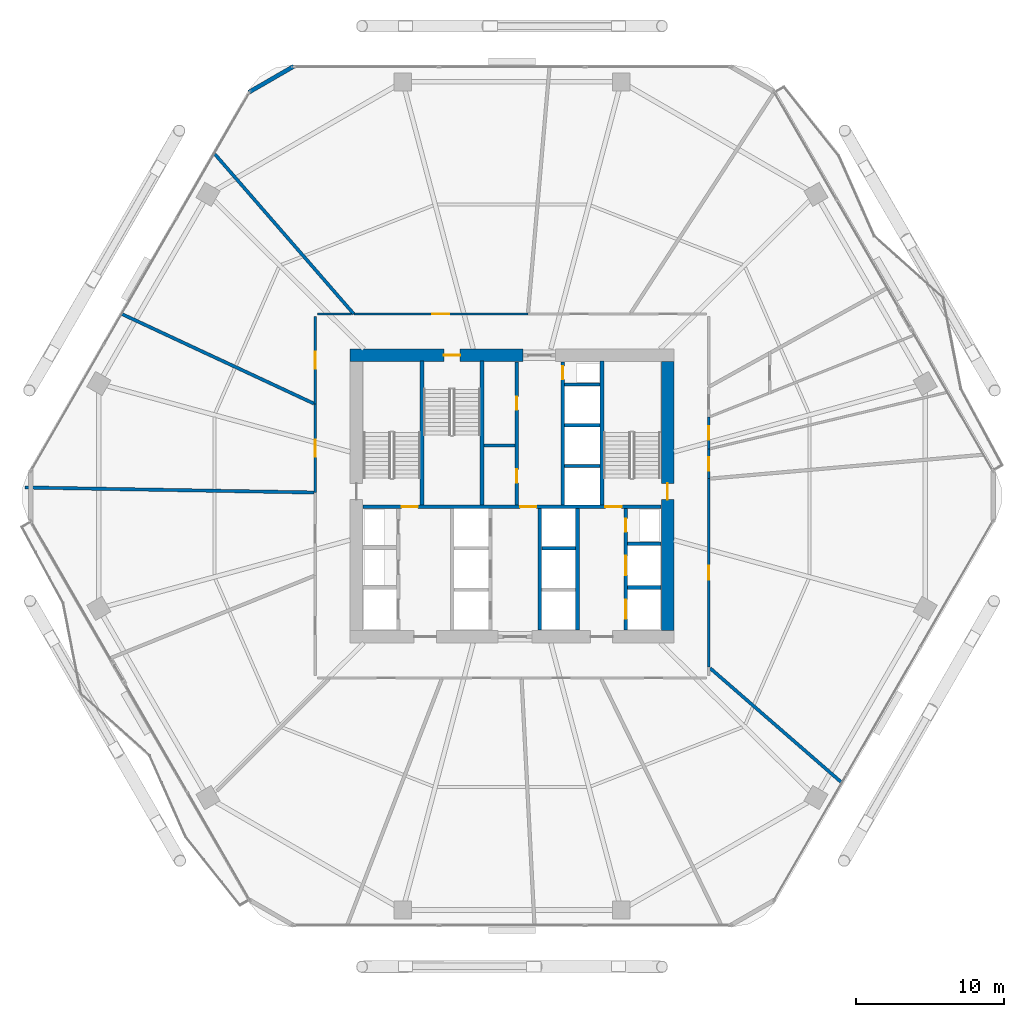
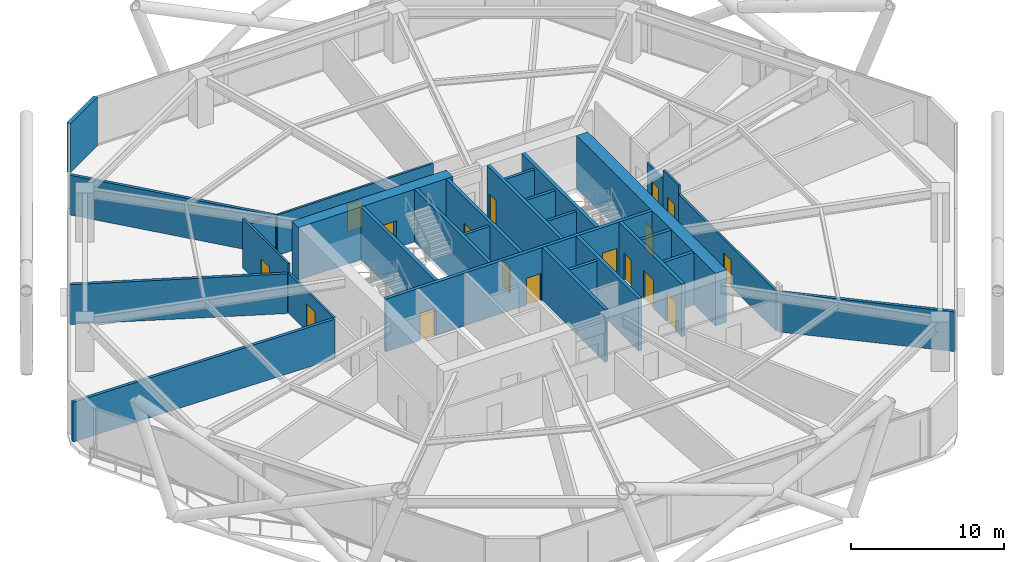
# One storey, part 26 of 30: 30 walls, 17 doors, 17 openings.
"""IFC4 building model written with IfcOpenShell, lengths in metres."""

import ifcopenshell
import ifcopenshell.guid

model = None  # the IFC model being written
_history = None  # IfcOwnerHistory: only IFC2X3 demands one
_inside = {}  # id of a spatial element -> (the spatial element, [elements in it])
_under = {}  # id of a project, library or spatial element -> (it, [spatial elements below it])
_declared = {}  # id of a project -> (the project, [libraries it declares])
_typed = {}  # id of a type object -> (the type object, [elements of that type])
_made_of = {}  # id of a material, layer set ... -> (it, [elements and type objects made of it])


def new_model(schema):
    """Start an empty IFC model of exactly this schema.

    Asked for "IFC4X3", IfcOpenShell would pick the latest addendum, in which some entities
    have other attributes; the version numbers below select the first issue.
    IFC2X3 requires an IfcOwnerHistory on every rooted entity: one is made here for all.
    """
    global model, _history
    if schema == "IFC4X3":
        model = ifcopenshell.file(schema_version=(4, 3, 0, 0))
    else:
        model = ifcopenshell.file(schema=schema)
    _inside.clear()
    _under.clear()
    _declared.clear()
    _typed.clear()
    _made_of.clear()
    _history = None
    if model.schema == "IFC2X3":
        org = make("IfcOrganization", Name="unknown")
        user = make(
            "IfcPersonAndOrganization",
            ThePerson=make("IfcPerson", FamilyName="unknown"),
            TheOrganization=org,
        )
        app = make(
            "IfcApplication",
            ApplicationDeveloper=org,
            Version="unknown",
            ApplicationFullName="unknown",
            ApplicationIdentifier="unknown",
        )
        _history = make(
            "IfcOwnerHistory",
            OwningUser=user,
            OwningApplication=app,
            ChangeAction="ADDED",
            CreationDate=0,
        )
    return model


def make(cls, **values):
    """One entity of the class cls with the attributes given. An attribute that is None is left unset."""
    return model.create_entity(
        cls, **{name: value for name, value in values.items() if value is not None}
    )


def rooted(cls, **values):
    """An entity with a GlobalId (a new one), such as an element, a storey or a relation."""
    return make(cls, GlobalId=ifcopenshell.guid.new(), OwnerHistory=_history, **values)


def si_unit(unit_type, name, prefix=None):
    """IfcSIUnit, for example si_unit("LENGTHUNIT", "METRE", prefix="MILLI")."""
    return make("IfcSIUnit", UnitType=unit_type, Prefix=prefix, Name=name)


def assignment(units):
    """IfcUnitAssignment: the units of a project."""
    return None if units is None else make("IfcUnitAssignment", Units=units)


def point(xyz):
    """IfcCartesianPoint."""
    return None if xyz is None else make("IfcCartesianPoint", Coordinates=xyz)


def direction(xyz):
    """IfcDirection."""
    return None if xyz is None else make("IfcDirection", DirectionRatios=xyz)


def frame(location, z_axis=None, x_axis=None):
    """IfcAxis2Placement3D, a coordinate frame: its origin and axes. An axis left out is left unset."""
    return make(
        "IfcAxis2Placement3D",
        Location=point(location),
        Axis=direction(z_axis),
        RefDirection=direction(x_axis),
    )


def frame_2d(location, x_axis=None):
    """IfcAxis2Placement2D, a coordinate frame in the plane: its origin and x axis."""
    return make(
        "IfcAxis2Placement2D", Location=point(location), RefDirection=direction(x_axis)
    )


def origin():
    """The frame at (0, 0, 0) with its axes left unset."""
    return frame((0.0, 0.0, 0.0))


def place(relative_to, where):
    """IfcLocalPlacement: puts the frame where relative to a parent placement (None: the world)."""
    return make(
        "IfcLocalPlacement", PlacementRelTo=relative_to, RelativePlacement=where
    )


def context(
    kind, dimensions, precision=None, world=None, true_north=None, identifier=None
):
    """IfcGeometricRepresentationContext, for example the 3D "Model" context."""
    return make(
        "IfcGeometricRepresentationContext",
        ContextIdentifier=identifier,
        ContextType=kind,
        CoordinateSpaceDimension=dimensions,
        Precision=precision,
        WorldCoordinateSystem=world,
        TrueNorth=true_north,
    )


def subcontext(parent, identifier, kind, view, scale=None):
    """IfcGeometricRepresentationSubContext, for example "Body" below "Model"."""
    return make(
        "IfcGeometricRepresentationSubContext",
        ContextIdentifier=identifier,
        ContextType=kind,
        ParentContext=parent,
        TargetScale=scale,
        TargetView=view,
    )


def project(units=None, contexts=None):
    """IfcProject with its units and contexts."""
    return rooted(
        "IfcProject",
        Name="project",
        RepresentationContexts=contexts,
        UnitsInContext=assignment(units),
    )


def spatial(cls, under=None, at=None, **own):
    """A site, building, storey or space (cls), placed at a placement, below another one or the project."""
    s = rooted(cls, ObjectPlacement=at, **own)
    if under is not None:
        _under.setdefault(under.id(), (under, []))[1].append(s)
    return s


def profile(cls, at=None, kind="AREA", **sizes):
    """A parametric profile (cls). Its sizes go by their IFC names, for example OverallWidth=200.0."""
    return make(cls, ProfileType=kind, Position=at, **sizes)


def rectangle(**sizes):
    """IfcRectangleProfileDef."""
    return profile("IfcRectangleProfileDef", **sizes)


def extrude(swept, where, along, depth):
    """IfcExtrudedAreaSolid: the profile swept, set in the frame where, extruded along a direction by depth."""
    return make(
        "IfcExtrudedAreaSolid",
        SweptArea=swept,
        Position=where,
        ExtrudedDirection=direction(along),
        Depth=depth,
    )


def shape(context_of_items, identifier, shape_type, items):
    """IfcShapeRepresentation: the items that make up one representation, for example the "Body"."""
    return make(
        "IfcShapeRepresentation",
        ContextOfItems=context_of_items,
        RepresentationIdentifier=identifier,
        RepresentationType=shape_type,
        Items=items,
    )


def material(Name=None, Category=None):
    """IfcMaterial."""
    return make("IfcMaterial", Name=Name, Category=Category)


def layer(
    of_material, thickness, ventilated=None, Name=None, Category=None, Priority=None
):
    """IfcMaterialLayer: one layer of a wall or slab, of a material (None: an air gap)."""
    return make(
        "IfcMaterialLayer",
        Material=of_material,
        LayerThickness=thickness,
        IsVentilated=ventilated,
        Name=Name,
        Category=Category,
        Priority=Priority,
    )


def layer_set(layers, Name=None):
    """IfcMaterialLayerSet."""
    return make("IfcMaterialLayerSet", MaterialLayers=layers, LayerSetName=Name)


def made_of(thing, what):
    """Note that an element or type object is made of a material, layer set ...; save() writes the relation."""
    if what is not None:
        _made_of.setdefault(what.id(), (what, []))[1].append(thing)
    return thing


def type_object(cls, material=None, **own):
    """A type object (cls), such as IfcWallType, which elements share."""
    return made_of(rooted(cls, **own), material)


def element(
    cls,
    number,
    at=None,
    inside=None,
    cuts=None,
    type_object=None,
    material=None,
    context=None,
    identifier="Body",
    shape_type=None,
    held_by="IfcProductDefinitionShape",
    body=None,
    shapes=None,
    **own,
):
    """One element of the class cls, such as IfcWall. Its Tag is "e" and its number.

    at: its placement. inside: the storey or other place that contains it. cuts: it is an
    opening in that element (IfcRelVoidsElement). A single representation is given by context,
    identifier, shape_type and body (its items); several are given by shapes. held_by: the class
    of the entity that holds the representations. save() writes the other relations.
    """
    e = rooted(cls, Tag="e%d" % number, ObjectPlacement=at, **own)
    if body is not None:
        shapes = [shape(context, identifier, shape_type, body)]
    if shapes is not None:
        e.Representation = make(held_by, Representations=shapes)
    if inside is not None:
        _inside.setdefault(inside.id(), (inside, []))[1].append(e)
    if cuts is not None:
        rooted(
            "IfcRelVoidsElement", RelatingBuildingElement=cuts, RelatedOpeningElement=e
        )
    if type_object is not None:
        _typed.setdefault(type_object.id(), (type_object, []))[1].append(e)
    return made_of(e, material)


def fill(opening, filler):
    """IfcRelFillsElement: the door or window that sits in an opening."""
    return rooted(
        "IfcRelFillsElement",
        RelatingOpeningElement=opening,
        RelatedBuildingElement=filler,
    )


def aggregate(whole, parts):
    """IfcRelAggregates: a whole, such as a stair, and the parts it consists of."""
    return rooted("IfcRelAggregates", RelatingObject=whole, RelatedObjects=parts)


def save(model, path):
    """Write the relations noted so far, then the file.

    IfcRelAggregates (storeys below a building ...), IfcRelContainedInSpatialStructure (elements
    in a storey), IfcRelDefinesByType, IfcRelAssociatesMaterial and IfcRelDeclares: one each for
    every whole, place, type object, material and project.
    """
    for whole, parts in _under.values():
        aggregate(whole, parts)
    for where, things in _inside.values():
        rooted(
            "IfcRelContainedInSpatialStructure",
            RelatedElements=things,
            RelatingStructure=where,
        )
    for kind, things in _typed.values():
        rooted("IfcRelDefinesByType", RelatedObjects=things, RelatingType=kind)
    for what, things in _made_of.values():
        rooted("IfcRelAssociatesMaterial", RelatedObjects=things, RelatingMaterial=what)
    for by, libraries in _declared.values():
        rooted("IfcRelDeclares", RelatingContext=by, RelatedDefinitions=libraries)
    model.write(path)


model = new_model("IFC4")

# Units and contexts
model_context = context("Model", 3, precision=1e-05, world=origin(), true_north=direction((0.0, 1.0)))
body_context = subcontext(model_context, "Body", "Model", "MODEL_VIEW")
ifc_project = project(units=[si_unit("LENGTHUNIT", "METRE"), si_unit("AREAUNIT", "SQUARE_METRE"), si_unit("VOLUMEUNIT", "CUBIC_METRE"), si_unit("PLANEANGLEUNIT", "RADIAN"), si_unit("MASSUNIT", "GRAM", prefix="KILO")], contexts=[model_context])

# Site, building, storey
site_placement = place(None, origin())
site = spatial("IfcSite", under=ifc_project, at=site_placement, CompositionType="ELEMENT")
building_placement = place(site_placement, origin())
building = spatial("IfcBuilding", under=site, at=building_placement, Name="Zuhravey Tower", CompositionType="ELEMENT")
storey_placement = place(building_placement, frame((0.0, 0.0, 16.199951171875)))
storey = spatial("IfcBuildingStorey", under=building, at=storey_placement, Name="L04", CompositionType="ELEMENT", Elevation=16.199951171875)

# Wall, opening, door
ifc_material_1 = material(Name="Concrete C60/75", Category="concrete")
ifc_layer_1 = layer(ifc_material_1, 0.85009765625)
ifc_layer_set_1 = layer_set([ifc_layer_1], Name="Concrete C60/75")
wall_type_1 = type_object("IfcWallType", Name="Core Shear Wall 850", PredefinedType="SHEAR", material=ifc_layer_set_1)
wall_1_placement = place(storey_placement, frame((36.75, 41.5, 0.0), z_axis=(0.0, 0.0, 1.0), x_axis=(-1.0, 0.0, 0.0)))
wall_1 = element("IfcWall", 1, at=wall_1_placement, inside=storey, type_object=wall_type_1, Name="L04 North-West Core Shear Wall CW85", PredefinedType="SHEAR", context=body_context, shape_type="SweptSolid", body=[
    extrude(rectangle(XDim=11.675048828125, YDim=0.85009765625, at=frame_2d((5.83740234375, 0.0))), origin(), (0.0, 0.0, 1.0), 4.199951171875),
])
opening_1_placement = place(wall_1_placement, frame((4.25, 0.0, 0.0)))
opening_1 = element("IfcOpeningElement", 2, at=opening_1_placement, cuts=wall_1, Name="Opening STD1", PredefinedType="OPENING", context=body_context, shape_type="SweptSolid", body=[
    extrude(rectangle(XDim=1.10009765625, YDim=2.14990234375, at=frame_2d((0.550048828125, 1.074951171875))), frame((0.0, 0.43701171875, 0.0), z_axis=(0.0, -1.0, 0.0), x_axis=(1.0, 0.0, 0.0)), (0.0, 0.0, 1.0), 0.8740234375),
])
ifc_material_2 = material(Name="Galvanised fire-rated steel leaf", Category="steel")
door_type_1 = type_object("IfcDoorType", Name="Protected Stair Fire Door 1100x2150", OperationType="NOTDEFINED", PredefinedType="USERDEFINED", material=ifc_material_2)
door_1_placement = place(opening_1_placement, origin())
door_1 = element("IfcDoor", 3, at=door_1_placement, inside=storey, type_object=door_type_1, Name="L04 Stair ST3 Door", ObjectType="EXITDOOR", OperationType="SINGLE_SWING_RIGHT", OverallHeight=2.14990234375, OverallWidth=1.10009765625, PredefinedType="USERDEFINED", context=body_context, shape_type="SweptSolid", body=[
    extrude(rectangle(XDim=1.10009765625, YDim=2.14990234375, at=frame_2d((0.550048828125, 1.074951171875))), frame((0.0, 0.02490234375, 0.0), z_axis=(0.0, -1.0, 0.0), x_axis=(1.0, 0.0, 0.0)), (0.0, 0.0, 1.0), 0.050048828125),
])
fill(opening_1, door_1)

wall_2_placement = place(storey_placement, frame((46.5, 22.925048828125, 0.0), z_axis=(0.0, 0.0, 1.0), x_axis=(0.0, 1.0, 0.0)))
wall_2 = element("IfcWall", 4, at=wall_2_placement, inside=storey, type_object=wall_type_1, Name="L04 East Core Shear Wall CW85", PredefinedType="SHEAR", context=body_context, shape_type="SweptSolid", body=[
    extrude(rectangle(XDim=18.14990234375, YDim=0.85009765625, at=frame_2d((9.074951171875, 0.0))), origin(), (0.0, 0.0, 1.0), 4.199951171875),
])
opening_2_placement = place(wall_2_placement, frame((8.824951171875, 0.0, 0.0)))
opening_2 = element("IfcOpeningElement", 5, at=opening_2_placement, cuts=wall_2, Name="Opening STD1", PredefinedType="OPENING", context=body_context, shape_type="SweptSolid", body=[
    extrude(rectangle(XDim=1.10009765625, YDim=2.14990234375, at=frame_2d((0.550048828125, 1.074951171875))), frame((0.0, 0.43701171875, 0.0), z_axis=(0.0, -1.0, 0.0), x_axis=(1.0, 0.0, 0.0)), (0.0, 0.0, 1.0), 0.8740234375),
])
door_2_placement = place(opening_2_placement, origin())
door_2 = element("IfcDoor", 6, at=door_2_placement, inside=storey, type_object=door_type_1, Name="L04 Stair ST2 Door", ObjectType="EXITDOOR", OperationType="SINGLE_SWING_LEFT", OverallHeight=2.14990234375, OverallWidth=1.10009765625, PredefinedType="USERDEFINED", context=body_context, shape_type="SweptSolid", body=[
    extrude(rectangle(XDim=1.10009765625, YDim=2.14990234375, at=frame_2d((0.550048828125, 1.074951171875))), frame((0.0, 0.02490234375, 0.0), z_axis=(0.0, -1.0, 0.0), x_axis=(1.0, 0.0, 0.0)), (0.0, 0.0, 1.0), 0.050048828125),
])
fill(opening_2, door_2)

ifc_material_3 = material(Name="Gypsum fire-rated stud partition")
ifc_layer_2 = layer(ifc_material_3, 0.159912109375)
ifc_layer_set_2 = layer_set([ifc_layer_2], Name="Gypsum fire-rated stud partition")
wall_type_2 = type_object("IfcWallType", Name="Corridor Fire Partition 160", PredefinedType="PARTITIONING", material=ifc_layer_set_2)
wall_3_placement = place(storey_placement, frame((49.284912109375, 33.162353515625, 0.0), z_axis=(0.0, 0.0, 1.0), x_axis=(0.0, 1.0, 0.0)))
wall_3 = element("IfcWall", 7, at=wall_3_placement, inside=storey, type_object=wall_type_2, Name="L04 IW16 Partition 019", PredefinedType="PARTITIONING", context=body_context, shape_type="SweptSolid", body=[
    extrude(rectangle(XDim=2.00244140625, YDim=0.159912109375, at=frame_2d((1.001220703125, 0.0))), origin(), (0.0, 0.0, 1.0), 3.920166015625),
])
opening_3_placement = place(wall_3_placement, frame((0.55126953125, 0.0, 0.0)))
opening_3 = element("IfcOpeningElement", 8, at=opening_3_placement, cuts=wall_3, Name="Opening RSD1", PredefinedType="OPENING", context=body_context, shape_type="SweptSolid", body=[
    extrude(rectangle(XDim=0.89990234375, YDim=2.10009765625, at=frame_2d((0.449951171875, 1.050048828125))), frame((0.0, 0.092041015625, 0.0), z_axis=(0.0, -1.0, 0.0), x_axis=(1.0, 0.0, 0.0)), (0.0, 0.0, 1.0), 0.183837890625),
])
ifc_material_4 = material(Name="Galvanised fire-rated steel access leaf", Category="steel")
door_type_2 = type_object("IfcDoorType", Name="Riser & Shaft Access Fire Door 900x2100", OperationType="NOTDEFINED", PredefinedType="DOOR", material=ifc_material_4)
door_3_placement = place(opening_3_placement, frame((0.89990234375, 0.0, 0.0), z_axis=(0.0, 0.0, 1.0), x_axis=(-1.0, 0.0, 0.0)))
door_3 = element("IfcDoor", 9, at=door_3_placement, inside=storey, type_object=door_type_2, Name="L04 Door 019.1", OperationType="SINGLE_SWING_RIGHT", OverallHeight=2.10009765625, OverallWidth=0.89990234375, PredefinedType="DOOR", context=body_context, shape_type="SweptSolid", body=[
    extrude(rectangle(XDim=0.89990234375, YDim=2.10009765625, at=frame_2d((0.449951171875, 1.050048828125))), frame((0.0, 0.02490234375, 0.0), z_axis=(0.0, -1.0, 0.0), x_axis=(1.0, 0.0, 0.0)), (0.0, 0.0, 1.0), 0.050048828125),
])
fill(opening_3, door_3)

wall_4_placement = place(storey_placement, frame((49.284912109375, 35.164794921875, 0.0), z_axis=(0.0, 0.0, 1.0), x_axis=(0.0, 1.0, 0.0)))
wall_4 = element("IfcWall", 10, at=wall_4_placement, inside=storey, type_object=wall_type_2, Name="L04 IW16 Partition 020", PredefinedType="PARTITIONING", context=body_context, shape_type="SweptSolid", body=[
    extrude(rectangle(XDim=2.14892578125, YDim=0.159912109375, at=frame_2d((1.074462890625, 0.0))), origin(), (0.0, 0.0, 1.0), 3.219970703125),
])
opening_4_placement = place(wall_4_placement, frame((0.624267578125, 0.0, 0.0)))
opening_4 = element("IfcOpeningElement", 11, at=opening_4_placement, cuts=wall_4, Name="Opening RSD1", PredefinedType="OPENING", context=body_context, shape_type="SweptSolid", body=[
    extrude(rectangle(XDim=0.89990234375, YDim=2.10009765625, at=frame_2d((0.449951171875, 1.050048828125))), frame((0.0, 0.092041015625, 0.0), z_axis=(0.0, -1.0, 0.0), x_axis=(1.0, 0.0, 0.0)), (0.0, 0.0, 1.0), 0.183837890625),
])
door_4_placement = place(opening_4_placement, frame((0.89990234375, 0.0, 0.0), z_axis=(0.0, 0.0, 1.0), x_axis=(-1.0, 0.0, 0.0)))
door_4 = element("IfcDoor", 12, at=door_4_placement, inside=storey, type_object=door_type_2, Name="L04 Door 020.1", OperationType="SINGLE_SWING_LEFT", OverallHeight=2.10009765625, OverallWidth=0.89990234375, PredefinedType="DOOR", context=body_context, shape_type="SweptSolid", body=[
    extrude(rectangle(XDim=0.89990234375, YDim=2.10009765625, at=frame_2d((0.449951171875, 1.050048828125))), frame((0.0, 0.02490234375, 0.0), z_axis=(0.0, -1.0, 0.0), x_axis=(1.0, 0.0, 0.0)), (0.0, 0.0, 1.0), 0.050048828125),
])
fill(opening_4, door_4)

wall_5_placement = place(storey_placement, frame((37.07470703125, 44.284912109375, 0.0), z_axis=(0.0, 0.0, 1.0), x_axis=(-1.0, 0.0, 0.0)))
wall_5 = element("IfcWall", 13, at=wall_5_placement, inside=storey, type_object=wall_type_2, Name="L04 IW16 Partition 025", PredefinedType="PARTITIONING", context=body_context, shape_type="SweptSolid", body=[
    extrude(rectangle(XDim=11.75390625, YDim=0.159912109375, at=frame_2d((5.876953125, 0.0))), origin(), (0.0, 0.0, 1.0), 3.219970703125),
])
opening_5_placement = place(wall_5_placement, frame((5.302001953125, 0.0, 0.0)))
opening_5 = element("IfcOpeningElement", 14, at=opening_5_placement, cuts=wall_5, Name="Opening CLD1", PredefinedType="OPENING", context=body_context, shape_type="SweptSolid", body=[
    extrude(rectangle(XDim=1.14990234375, YDim=2.199951171875, at=frame_2d((0.574951171875, 1.10009765625))), frame((0.0, 0.092041015625, 0.0), z_axis=(0.0, -1.0, 0.0), x_axis=(1.0, 0.0, 0.0)), (0.0, 0.0, 1.0), 0.183837890625),
])
ifc_material_5 = material(Name="Acoustic timber leaf with vision lite", Category="wood")
door_type_3 = type_object("IfcDoorType", Name="Classroom Acoustic Door 1150x2200", OperationType="NOTDEFINED", PredefinedType="DOOR", material=ifc_material_5)
door_5_placement = place(opening_5_placement, frame((1.14990234375, 0.0, 0.0), z_axis=(0.0, 0.0, 1.0), x_axis=(-1.0, 0.0, 0.0)))
door_5 = element("IfcDoor", 15, at=door_5_placement, inside=storey, type_object=door_type_3, Name="L04 Door 025.1", OperationType="SINGLE_SWING_RIGHT", OverallHeight=2.199951171875, OverallWidth=1.14990234375, PredefinedType="DOOR", context=body_context, shape_type="SweptSolid", body=[
    extrude(rectangle(XDim=1.14990234375, YDim=2.199951171875, at=frame_2d((0.574951171875, 1.10009765625))), frame((0.0, 0.02490234375, 0.0), z_axis=(0.0, -1.0, 0.0), x_axis=(1.0, 0.0, 0.0)), (0.0, 0.0, 1.0), 0.050048828125),
])
fill(opening_5, door_5)

wall_6_placement = place(storey_placement, frame((22.715087890625, 44.125, 0.0), z_axis=(0.0, 0.0, 1.0), x_axis=(0.0, -1.0, 0.0)))
wall_6 = element("IfcWall", 16, at=wall_6_placement, inside=storey, type_object=wall_type_2, Name="L04 IW16 Partition 026", PredefinedType="PARTITIONING", context=body_context, shape_type="SweptSolid", body=[
    extrude(rectangle(XDim=5.93017578125, YDim=0.159912109375, at=frame_2d((2.965087890625, 0.0))), origin(), (0.0, 0.0, 1.0), 3.920166015625),
])
opening_6_placement = place(wall_6_placement, frame((2.39013671875, 0.0, 0.0)))
opening_6 = element("IfcOpeningElement", 17, at=opening_6_placement, cuts=wall_6, Name="Opening CLD1", PredefinedType="OPENING", context=body_context, shape_type="SweptSolid", body=[
    extrude(rectangle(XDim=1.14990234375, YDim=2.199951171875, at=frame_2d((0.574951171875, 1.10009765625))), frame((0.0, 0.092041015625, 0.0), z_axis=(0.0, -1.0, 0.0), x_axis=(1.0, 0.0, 0.0)), (0.0, 0.0, 1.0), 0.183837890625),
])
door_6_placement = place(opening_6_placement, frame((1.14990234375, 0.0, 0.0), z_axis=(0.0, 0.0, 1.0), x_axis=(-1.0, 0.0, 0.0)))
door_6 = element("IfcDoor", 18, at=door_6_placement, inside=storey, type_object=door_type_3, Name="L04 Door 026.1", OperationType="SINGLE_SWING_LEFT", OverallHeight=2.199951171875, OverallWidth=1.14990234375, PredefinedType="DOOR", context=body_context, shape_type="SweptSolid", body=[
    extrude(rectangle(XDim=1.14990234375, YDim=2.199951171875, at=frame_2d((0.574951171875, 1.10009765625))), frame((0.0, 0.02490234375, 0.0), z_axis=(0.0, -1.0, 0.0), x_axis=(1.0, 0.0, 0.0)), (0.0, 0.0, 1.0), 0.050048828125),
])
fill(opening_6, door_6)

wall_7_placement = place(storey_placement, frame((22.715087890625, 38.19482421875, 0.0), z_axis=(0.0, 0.0, 1.0), x_axis=(0.0, -1.0, 0.0)))
wall_7 = element("IfcWall", 19, at=wall_7_placement, inside=storey, type_object=wall_type_2, Name="L04 IW16 Partition 027", PredefinedType="PARTITIONING", context=body_context, shape_type="SweptSolid", body=[
    extrude(rectangle(XDim=5.962890625, YDim=0.159912109375, at=frame_2d((2.9814453125, 0.0))), origin(), (0.0, 0.0, 1.0), 3.219970703125),
])
opening_7_placement = place(wall_7_placement, frame((2.406494140625, 0.0, 0.0)))
opening_7 = element("IfcOpeningElement", 20, at=opening_7_placement, cuts=wall_7, Name="Opening CLD1", PredefinedType="OPENING", context=body_context, shape_type="SweptSolid", body=[
    extrude(rectangle(XDim=1.14990234375, YDim=2.199951171875, at=frame_2d((0.574951171875, 1.10009765625))), frame((0.0, 0.092041015625, 0.0), z_axis=(0.0, -1.0, 0.0), x_axis=(1.0, 0.0, 0.0)), (0.0, 0.0, 1.0), 0.183837890625),
])
door_7_placement = place(opening_7_placement, frame((1.14990234375, 0.0, 0.0), z_axis=(0.0, 0.0, 1.0), x_axis=(-1.0, 0.0, 0.0)))
door_7 = element("IfcDoor", 21, at=door_7_placement, inside=storey, type_object=door_type_3, Name="L04 Door 027.1", OperationType="SINGLE_SWING_RIGHT", OverallHeight=2.199951171875, OverallWidth=1.14990234375, PredefinedType="DOOR", context=body_context, shape_type="SweptSolid", body=[
    extrude(rectangle(XDim=1.14990234375, YDim=2.199951171875, at=frame_2d((0.574951171875, 1.10009765625))), frame((0.0, 0.02490234375, 0.0), z_axis=(0.0, -1.0, 0.0), x_axis=(1.0, 0.0, 0.0)), (0.0, 0.0, 1.0), 0.050048828125),
])
fill(opening_7, door_7)

wall_8_placement = place(storey_placement, frame((49.284912109375, 20.451416015625, 0.0), z_axis=(0.0, 0.0, 1.0), x_axis=(0.0, 1.0, 0.0)))
wall_8 = element("IfcWall", 22, at=wall_8_placement, inside=storey, type_object=wall_type_2, Name="L04 IW16 Partition 034", PredefinedType="PARTITIONING", context=body_context, shape_type="SweptSolid", body=[
    extrude(rectangle(XDim=12.7109375, YDim=0.159912109375, at=frame_2d((6.35546875, 0.0))), origin(), (0.0, 0.0, 1.0), 3.219970703125),
])
opening_8_placement = place(wall_8_placement, frame((5.88037109375, 0.0, 0.0)))
opening_8 = element("IfcOpeningElement", 23, at=opening_8_placement, cuts=wall_8, Name="Opening IND1", PredefinedType="OPENING", context=body_context, shape_type="SweptSolid", body=[
    extrude(rectangle(XDim=0.949951171875, YDim=2.10009765625, at=frame_2d((0.47509765625, 1.050048828125))), frame((0.0, 0.092041015625, 0.0), z_axis=(0.0, -1.0, 0.0), x_axis=(1.0, 0.0, 0.0)), (0.0, 0.0, 1.0), 0.183837890625),
])
ifc_material_6 = material(Name="Painted engineered timber leaf", Category="wood")
door_type_4 = type_object("IfcDoorType", Name="Internal Room & Bedroom Door 950x2100", OperationType="NOTDEFINED", PredefinedType="DOOR", material=ifc_material_6)
door_8_placement = place(opening_8_placement, frame((0.949951171875, 0.0, 0.0), z_axis=(0.0, 0.0, 1.0), x_axis=(-1.0, 0.0, 0.0)))
door_8 = element("IfcDoor", 24, at=door_8_placement, inside=storey, type_object=door_type_4, Name="L04 Door 034.1", OperationType="SINGLE_SWING_LEFT", OverallHeight=2.10009765625, OverallWidth=0.949951171875, PredefinedType="DOOR", context=body_context, shape_type="SweptSolid", body=[
    extrude(rectangle(XDim=0.949951171875, YDim=2.10009765625, at=frame_2d((0.47509765625, 1.050048828125))), frame((0.0, 0.02490234375, 0.0), z_axis=(0.0, -1.0, 0.0), x_axis=(1.0, 0.0, 0.0)), (0.0, 0.0, 1.0), 0.050048828125),
])
fill(opening_8, door_8)

# Walls
wall_9_placement = place(storey_placement, frame((25.164306640625, 44.284912109375, 0.0), z_axis=(0.0, 0.0, 1.0), x_axis=(-1.0, 0.0, 0.0)))
element("IfcWall", 25, at=wall_9_placement, inside=storey, type_object=wall_type_2, Name="L04 IW16 Partition 054", PredefinedType="PARTITIONING", context=body_context, shape_type="SweptSolid", body=[
    extrude(rectangle(XDim=2.289306640625, YDim=0.159912109375, at=frame_2d((1.14453125, 0.0))), origin(), (0.0, 0.0, 1.0), 3.219970703125),
])
ifc_material_7 = material(Name="Precast concrete C40/50", Category="concrete")
ifc_layer_3 = layer(ifc_material_7, 0.280029296875)
ifc_layer_set_3 = layer_set([ifc_layer_3], Name="Precast concrete C40/50")
wall_type_3 = type_object("IfcWallType", Name="Crown Architectural Wall 280", PredefinedType="SOLIDWALL", material=ifc_layer_set_3)
wall_10_placement = place(storey_placement, frame((18.23876953125, 59.24853515625, 0.0), z_axis=(0.0, 0.0, 1.0), x_axis=(0.866007452331, 0.500031091541, 0.0)))
element("IfcWall", 26, at=wall_10_placement, inside=storey, type_object=wall_type_3, Name="L04 Rounded Corner Closure Wall EW28-08", PredefinedType="SOLIDWALL", context=body_context, shape_type="SweptSolid", body=[
    extrude(rectangle(XDim=3.514892578125, YDim=0.280029296875, at=frame_2d((1.75732421875, 0.0))), origin(), (0.0, 0.0, 1.0), 3.920166015625),
])

# Wall, openings, doors
ifc_material_8 = material(Name="Concrete C50/60", Category="concrete")
ifc_layer_4 = layer(ifc_material_8, 0.25)
ifc_layer_set_4 = layer_set([ifc_layer_4], Name="Concrete C50/60")
wall_type_4 = type_object("IfcWallType", Name="Firefighting Shaft & Stair Wall 250", PredefinedType="SOLIDWALL", material=ifc_layer_set_4)
wall_11_placement = place(storey_placement, frame((25.949951171875, 31.27490234375, 0.0), z_axis=(0.0, 0.0, 1.0), x_axis=(1.0, 0.0, 0.0)))
wall_11 = element("IfcWall", 27, at=wall_11_placement, inside=storey, type_object=wall_type_4, Name="L04 FW25 Shaft Wall 003", PredefinedType="SOLIDWALL", context=body_context, shape_type="SweptSolid", body=[
    extrude(rectangle(XDim=20.10009765625, YDim=0.25, at=frame_2d((10.050048828125, 0.0))), origin(), (0.0, 0.0, 1.0), 4.199951171875),
])
opening_9_placement = place(wall_11_placement, frame((2.60009765625, 0.0, 0.0)))
opening_9 = element("IfcOpeningElement", 28, at=opening_9_placement, cuts=wall_11, Name="Opening STD1", PredefinedType="OPENING", context=body_context, shape_type="SweptSolid", body=[
    extrude(rectangle(XDim=1.10009765625, YDim=2.14990234375, at=frame_2d((0.550048828125, 1.074951171875))), frame((0.0, 0.136962890625, 0.0), z_axis=(0.0, -1.0, 0.0), x_axis=(1.0, 0.0, 0.0)), (0.0, 0.0, 1.0), 0.27392578125),
])
opening_10_placement = place(wall_11_placement, frame((10.60009765625, 0.0, 0.0)))
opening_10 = element("IfcOpeningElement", 29, at=opening_10_placement, cuts=wall_11, Name="Opening STD1", PredefinedType="OPENING", context=body_context, shape_type="SweptSolid", body=[
    extrude(rectangle(XDim=1.10009765625, YDim=2.14990234375, at=frame_2d((0.550048828125, 1.074951171875))), frame((0.0, 0.136962890625, 0.0), z_axis=(0.0, -1.0, 0.0), x_axis=(1.0, 0.0, 0.0)), (0.0, 0.0, 1.0), 0.27392578125),
])
opening_11_placement = place(wall_11_placement, frame((16.35009765625, 0.0, 0.0)))
opening_11 = element("IfcOpeningElement", 30, at=opening_11_placement, cuts=wall_11, Name="Opening STD1", PredefinedType="OPENING", context=body_context, shape_type="SweptSolid", body=[
    extrude(rectangle(XDim=1.10009765625, YDim=2.14990234375, at=frame_2d((0.550048828125, 1.074951171875))), frame((0.0, 0.136962890625, 0.0), z_axis=(0.0, -1.0, 0.0), x_axis=(1.0, 0.0, 0.0)), (0.0, 0.0, 1.0), 0.27392578125),
])
door_9_placement = place(opening_9_placement, origin())
door_9 = element("IfcDoor", 31, at=door_9_placement, inside=storey, type_object=door_type_1, Name="L04 FFL-W to ST1 Door", ObjectType="EXITDOOR", OperationType="SINGLE_SWING_LEFT", OverallHeight=2.14990234375, OverallWidth=1.10009765625, PredefinedType="USERDEFINED", context=body_context, shape_type="SweptSolid", body=[
    extrude(rectangle(XDim=1.10009765625, YDim=2.14990234375, at=frame_2d((0.550048828125, 1.074951171875))), frame((0.0, 0.02490234375, 0.0), z_axis=(0.0, -1.0, 0.0), x_axis=(1.0, 0.0, 0.0)), (0.0, 0.0, 1.0), 0.050048828125),
])
fill(opening_9, door_9)
door_10_placement = place(opening_10_placement, origin())
door_10 = element("IfcDoor", 32, at=door_10_placement, inside=storey, type_object=door_type_1, Name="L04 Core Lobby Link Door", ObjectType="EXITDOOR", OperationType="SINGLE_SWING_RIGHT", OverallHeight=2.14990234375, OverallWidth=1.10009765625, PredefinedType="USERDEFINED", context=body_context, shape_type="SweptSolid", body=[
    extrude(rectangle(XDim=1.10009765625, YDim=2.14990234375, at=frame_2d((0.550048828125, 1.074951171875))), frame((0.0, 0.02490234375, 0.0), z_axis=(0.0, -1.0, 0.0), x_axis=(1.0, 0.0, 0.0)), (0.0, 0.0, 1.0), 0.050048828125),
])
fill(opening_10, door_10)
door_11_placement = place(opening_11_placement, origin())
door_11 = element("IfcDoor", 33, at=door_11_placement, inside=storey, type_object=door_type_1, Name="L04 FFL-E to ST2 Door", ObjectType="EXITDOOR", OperationType="SINGLE_SWING_LEFT", OverallHeight=2.14990234375, OverallWidth=1.10009765625, PredefinedType="USERDEFINED", context=body_context, shape_type="SweptSolid", body=[
    extrude(rectangle(XDim=1.10009765625, YDim=2.14990234375, at=frame_2d((0.550048828125, 1.074951171875))), frame((0.0, 0.02490234375, 0.0), z_axis=(0.0, -1.0, 0.0), x_axis=(1.0, 0.0, 0.0)), (0.0, 0.0, 1.0), 0.050048828125),
])
fill(opening_11, door_11)

# Walls
for number, where, z_axis, x_axis, name in (
    (34, (29.925048828125, 31.39990234375, 0.0), (0.0, 0.0, 1.0), (0.0, 1.0, 0.0), "L04 FW25 Shaft Wall 004"),
    (35, (33.97509765625, 31.39990234375, 0.0), (0.0, 0.0, 1.0), (0.0, 1.0, 0.0), "L04 FW25 Shaft Wall 005"),
    (36, (42.074951171875, 31.39990234375, 0.0), (0.0, 0.0, 1.0), (0.0, 1.0, 0.0), "L04 FW25 Shaft Wall 006"),
):
    element("IfcWall", number, at=place(storey_placement, frame(where, z_axis=z_axis, x_axis=x_axis)), inside=storey, type_object=wall_type_4, Name=name, PredefinedType="SOLIDWALL", context=body_context, shape_type="SweptSolid", body=[
        extrude(rectangle(XDim=9.7001953125, YDim=0.25, at=frame_2d((4.85009765625, 0.0))), origin(), (0.0, 0.0, 1.0), 4.199951171875),
    ])

# Wall, openings, doors
wall_12_placement = place(storey_placement, frame((36.324951171875, 31.39990234375, 0.0), z_axis=(0.0, 0.0, 1.0), x_axis=(0.0, 1.0, 0.0)))
wall_12 = element("IfcWall", 37, at=wall_12_placement, inside=storey, type_object=wall_type_4, Name="L04 FW25 Shaft Wall 007", PredefinedType="SOLIDWALL", context=body_context, shape_type="SweptSolid", body=[
    extrude(rectangle(XDim=9.650146484375, YDim=0.25, at=frame_2d((4.8251953125, 0.0))), origin(), (0.0, 0.0, 1.0), 4.199951171875),
])
opening_12_placement = place(wall_12_placement, frame((1.489990234375, 0.0, 0.0)))
opening_12 = element("IfcOpeningElement", 38, at=opening_12_placement, cuts=wall_12, Name="Opening RSD1", PredefinedType="OPENING", context=body_context, shape_type="SweptSolid", body=[
    extrude(rectangle(XDim=0.89990234375, YDim=2.10009765625, at=frame_2d((0.449951171875, 1.050048828125))), frame((0.0, 0.136962890625, 0.0), z_axis=(0.0, -1.0, 0.0), x_axis=(1.0, 0.0, 0.0)), (0.0, 0.0, 1.0), 0.27392578125),
])
opening_13_placement = place(wall_12_placement, frame((6.409912109375, 0.0, 0.0)))
opening_13 = element("IfcOpeningElement", 39, at=opening_13_placement, cuts=wall_12, Name="Opening RSD1", PredefinedType="OPENING", context=body_context, shape_type="SweptSolid", body=[
    extrude(rectangle(XDim=0.89990234375, YDim=2.10009765625, at=frame_2d((0.449951171875, 1.050048828125))), frame((0.0, 0.136962890625, 0.0), z_axis=(0.0, -1.0, 0.0), x_axis=(1.0, 0.0, 0.0)), (0.0, 0.0, 1.0), 0.27392578125),
])
door_12_placement = place(opening_12_placement, origin())
door_12 = element("IfcDoor", 40, at=door_12_placement, inside=storey, type_object=door_type_2, Name="L04 Core Cleaner Store Door", OperationType="SINGLE_SWING_RIGHT", OverallHeight=2.10009765625, OverallWidth=0.89990234375, PredefinedType="DOOR", context=body_context, shape_type="SweptSolid", body=[
    extrude(rectangle(XDim=0.89990234375, YDim=2.10009765625, at=frame_2d((0.449951171875, 1.050048828125))), frame((0.0, 0.02490234375, 0.0), z_axis=(0.0, -1.0, 0.0), x_axis=(1.0, 0.0, 0.0)), (0.0, 0.0, 1.0), 0.050048828125),
])
fill(opening_12, door_12)
door_13_placement = place(opening_13_placement, origin())
door_13 = element("IfcDoor", 41, at=door_13_placement, inside=storey, type_object=door_type_2, Name="L04 Core Pantry and Tea Room Door", OperationType="SINGLE_SWING_LEFT", OverallHeight=2.10009765625, OverallWidth=0.89990234375, PredefinedType="DOOR", context=body_context, shape_type="SweptSolid", body=[
    extrude(rectangle(XDim=0.89990234375, YDim=2.10009765625, at=frame_2d((0.449951171875, 1.050048828125))), frame((0.0, 0.02490234375, 0.0), z_axis=(0.0, -1.0, 0.0), x_axis=(1.0, 0.0, 0.0)), (0.0, 0.0, 1.0), 0.050048828125),
])
fill(opening_13, door_13)

# Wall, opening, door
wall_13_placement = place(storey_placement, frame((39.425048828125, 31.39990234375, 0.0), z_axis=(0.0, 0.0, 1.0), x_axis=(0.0, 1.0, 0.0)))
wall_13 = element("IfcWall", 42, at=wall_13_placement, inside=storey, type_object=wall_type_4, Name="L04 FW25 Shaft Wall 008", PredefinedType="SOLIDWALL", context=body_context, shape_type="SweptSolid", body=[
    extrude(rectangle(XDim=9.650146484375, YDim=0.25, at=frame_2d((4.8251953125, 0.0))), origin(), (0.0, 0.0, 1.0), 4.199951171875),
])
opening_14_placement = place(wall_13_placement, frame((8.469970703125, 0.0, 0.0)))
opening_14 = element("IfcOpeningElement", 43, at=opening_14_placement, cuts=wall_13, Name="Opening RSD1", PredefinedType="OPENING", context=body_context, shape_type="SweptSolid", body=[
    extrude(rectangle(XDim=0.89990234375, YDim=2.10009765625, at=frame_2d((0.449951171875, 1.050048828125))), frame((0.0, 0.136962890625, 0.0), z_axis=(0.0, -1.0, 0.0), x_axis=(1.0, 0.0, 0.0)), (0.0, 0.0, 1.0), 0.27392578125),
])
door_14_placement = place(opening_14_placement, origin())
door_14 = element("IfcDoor", 44, at=door_14_placement, inside=storey, type_object=door_type_2, Name="L04 North Riser Door", OperationType="SINGLE_SWING_RIGHT", OverallHeight=2.10009765625, OverallWidth=0.89990234375, PredefinedType="DOOR", context=body_context, shape_type="SweptSolid", body=[
    extrude(rectangle(XDim=0.89990234375, YDim=2.10009765625, at=frame_2d((0.449951171875, 1.050048828125))), frame((0.0, 0.02490234375, 0.0), z_axis=(0.0, -1.0, 0.0), x_axis=(1.0, 0.0, 0.0)), (0.0, 0.0, 1.0), 0.050048828125),
])
fill(opening_14, door_14)

# Walls
for number, where, z_axis, x_axis, name in (
    (45, (37.875, 22.949951171875, 0.0), (0.0, 0.0, 1.0), (0.0, 1.0, 0.0), "L04 FW25 Shaft Wall 014"),
    (46, (40.425048828125, 22.949951171875, 0.0), (0.0, 0.0, 1.0), (0.0, 1.0, 0.0), "L04 FW25 Shaft Wall 015"),
):
    element("IfcWall", number, at=place(storey_placement, frame(where, z_axis=z_axis, x_axis=x_axis)), inside=storey, type_object=wall_type_4, Name=name, PredefinedType="SOLIDWALL", context=body_context, shape_type="SweptSolid", body=[
        extrude(rectangle(XDim=8.199951171875, YDim=0.25, at=frame_2d((4.10009765625, 0.0))), origin(), (0.0, 0.0, 1.0), 4.199951171875),
    ])
for number, where, z_axis, x_axis, name in (
    (47, (43.800048828125, 25.824951171875, 0.0), (0.0, 0.0, 1.0), (1.0, 0.0, 0.0), "L04 FW25 Shaft Wall 016"),
    (48, (43.800048828125, 28.77490234375, 0.0), (0.0, 0.0, 1.0), (1.0, 0.0, 0.0), "L04 FW25 Shaft Wall 017"),
):
    element("IfcWall", number, at=place(storey_placement, frame(where, z_axis=z_axis, x_axis=x_axis)), inside=storey, type_object=wall_type_4, Name=name, PredefinedType="SOLIDWALL", context=body_context, shape_type="SweptSolid", body=[
        extrude(rectangle(XDim=2.25, YDim=0.25, at=frame_2d((1.125, 0.0))), origin(), (0.0, 0.0, 1.0), 4.199951171875),
    ])

# Wall, openings, doors
wall_14_placement = place(storey_placement, frame((43.675048828125, 22.949951171875, 0.0), z_axis=(0.0, 0.0, 1.0), x_axis=(0.0, 1.0, 0.0)))
wall_14 = element("IfcWall", 49, at=wall_14_placement, inside=storey, type_object=wall_type_4, Name="L04 FW25 Shaft Wall 018", PredefinedType="SOLIDWALL", context=body_context, shape_type="SweptSolid", body=[
    extrude(rectangle(XDim=8.199951171875, YDim=0.25, at=frame_2d((4.10009765625, 0.0))), origin(), (0.0, 0.0, 1.0), 4.199951171875),
])
opening_15_placement = place(wall_14_placement, frame((0.75, 0.0, 0.0)))
opening_15 = element("IfcOpeningElement", 50, at=opening_15_placement, cuts=wall_14, Name="Opening LD2", PredefinedType="OPENING", context=body_context, shape_type="SweptSolid", body=[
    extrude(rectangle(XDim=1.300048828125, YDim=2.300048828125, at=frame_2d((0.64990234375, 1.14990234375))), frame((0.0, 0.136962890625, 0.0), z_axis=(0.0, -1.0, 0.0), x_axis=(1.0, 0.0, 0.0)), (0.0, 0.0, 1.0), 0.27392578125),
])
opening_16_placement = place(wall_14_placement, frame((3.699951171875, 0.0, 0.0)))
opening_16 = element("IfcOpeningElement", 51, at=opening_16_placement, cuts=wall_14, Name="Opening LD2", PredefinedType="OPENING", context=body_context, shape_type="SweptSolid", body=[
    extrude(rectangle(XDim=1.300048828125, YDim=2.300048828125, at=frame_2d((0.64990234375, 1.14990234375))), frame((0.0, 0.136962890625, 0.0), z_axis=(0.0, -1.0, 0.0), x_axis=(1.0, 0.0, 0.0)), (0.0, 0.0, 1.0), 0.27392578125),
])
opening_17_placement = place(wall_14_placement, frame((6.6201171875, 0.0, 0.0)))
opening_17 = element("IfcOpeningElement", 52, at=opening_17_placement, cuts=wall_14, Name="Opening RSD1", PredefinedType="OPENING", context=body_context, shape_type="SweptSolid", body=[
    extrude(rectangle(XDim=0.89990234375, YDim=2.10009765625, at=frame_2d((0.449951171875, 1.050048828125))), frame((0.0, 0.136962890625, 0.0), z_axis=(0.0, -1.0, 0.0), x_axis=(1.0, 0.0, 0.0)), (0.0, 0.0, 1.0), 0.27392578125),
])
ifc_material_9 = material(Name="Brushed stainless steel", Category="steel")
door_type_5 = type_object("IfcDoorType", Name="Freight & Stretcher Lift Sliding Door 1300x2300", OperationType="DOUBLE_DOOR_SLIDING", PredefinedType="DOOR", material=ifc_material_9)
door_15_placement = place(opening_15_placement, origin())
door_15 = element("IfcDoor", 53, at=door_15_placement, inside=storey, type_object=door_type_5, Name="L04 Lift FF2 Landing Door", OperationType="DOUBLE_DOOR_SLIDING", OverallHeight=2.300048828125, OverallWidth=1.300048828125, PredefinedType="DOOR", context=body_context, shape_type="SweptSolid", body=[
    extrude(rectangle(XDim=1.300048828125, YDim=2.300048828125, at=frame_2d((0.64990234375, 1.14990234375))), frame((0.0, 0.02490234375, 0.0), z_axis=(0.0, -1.0, 0.0), x_axis=(1.0, 0.0, 0.0)), (0.0, 0.0, 1.0), 0.050048828125),
])
fill(opening_15, door_15)
door_16_placement = place(opening_16_placement, origin())
door_16 = element("IfcDoor", 54, at=door_16_placement, inside=storey, type_object=door_type_5, Name="L04 Lift SV1 Landing Door", OperationType="DOUBLE_DOOR_SLIDING", OverallHeight=2.300048828125, OverallWidth=1.300048828125, PredefinedType="DOOR", context=body_context, shape_type="SweptSolid", body=[
    extrude(rectangle(XDim=1.300048828125, YDim=2.300048828125, at=frame_2d((0.64990234375, 1.14990234375))), frame((0.0, 0.02490234375, 0.0), z_axis=(0.0, -1.0, 0.0), x_axis=(1.0, 0.0, 0.0)), (0.0, 0.0, 1.0), 0.050048828125),
])
fill(opening_16, door_16)
door_17_placement = place(opening_17_placement, origin())
door_17 = element("IfcDoor", 55, at=door_17_placement, inside=storey, type_object=door_type_2, Name="L04 Plumbing Riser Door", OperationType="SINGLE_SWING_LEFT", OverallHeight=2.10009765625, OverallWidth=0.89990234375, PredefinedType="DOOR", context=body_context, shape_type="SweptSolid", body=[
    extrude(rectangle(XDim=0.89990234375, YDim=2.10009765625, at=frame_2d((0.449951171875, 1.050048828125))), frame((0.0, 0.02490234375, 0.0), z_axis=(0.0, -1.0, 0.0), x_axis=(1.0, 0.0, 0.0)), (0.0, 0.0, 1.0), 0.050048828125),
])
fill(opening_17, door_17)

# Walls
ifc_material_10 = material(Name="Gypsum acoustic stud assembly")
ifc_layer_5 = layer(ifc_material_10, 0.219970703125)
ifc_layer_set_5 = layer_set([ifc_layer_5], Name="Gypsum acoustic stud assembly")
wall_type_5 = type_object("IfcWallType", Name="School Acoustic Compartment Wall 220", PredefinedType="PARTITIONING", material=ifc_layer_set_5)
wall_15_placement = place(storey_placement, frame((34.10791015625, 35.39990234375, 0.0), z_axis=(0.0, 0.0, 1.0), x_axis=(1.0, 0.0, 0.0)))
element("IfcWall", 56, at=wall_15_placement, inside=storey, type_object=wall_type_5, Name="L04 IW22 Partition 035", PredefinedType="PARTITIONING", context=body_context, shape_type="SweptSolid", body=[
    extrude(rectangle(XDim=2.083984375, YDim=0.219970703125, at=frame_2d((1.0419921875, 0.0))), origin(), (0.0, 0.0, 1.0), 3.920166015625),
])
for number, where, z_axis, x_axis, name in (
    (57, (39.55810546875, 34.02490234375, 0.0), (0.0, 0.0, 1.0), (1.0, 0.0, 0.0), "L04 IW22 Partition 036"),
    (58, (39.55810546875, 36.77490234375, 0.0), (0.0, 0.0, 1.0), (1.0, 0.0, 0.0), "L04 IW22 Partition 037"),
    (59, (39.55810546875, 39.52490234375, 0.0), (0.0, 0.0, 1.0), (1.0, 0.0, 0.0), "L04 IW22 Partition 038"),
):
    element("IfcWall", number, at=place(storey_placement, frame(where, z_axis=z_axis, x_axis=x_axis)), inside=storey, type_object=wall_type_5, Name=name, PredefinedType="PARTITIONING", context=body_context, shape_type="SweptSolid", body=[
        extrude(rectangle(XDim=2.3837890625, YDim=0.219970703125, at=frame_2d((1.19189453125, 0.0))), origin(), (0.0, 0.0, 1.0), 3.920166015625),
    ])
wall_16_placement = place(storey_placement, frame((38.008056640625, 28.47509765625, 0.0), z_axis=(0.0, 0.0, 1.0), x_axis=(1.0, 0.0, 0.0)))
element("IfcWall", 60, at=wall_16_placement, inside=storey, type_object=wall_type_5, Name="L04 IW22 Partition 042", PredefinedType="PARTITIONING", context=body_context, shape_type="SweptSolid", body=[
    extrude(rectangle(XDim=2.283935546875, YDim=0.219970703125, at=frame_2d((1.14208984375, 0.0))), origin(), (0.0, 0.0, 1.0), 3.920166015625),
])
wall_17_placement = place(storey_placement, frame((25.32080078125, 44.284912109375, 0.0), z_axis=(0.0, 0.0, 1.0), x_axis=(-0.656060762546, 0.754708073263, 0.0)))
element("IfcWall", 61, at=wall_17_placement, inside=storey, type_object=wall_type_5, Name="L04 IW22 Partition 052", PredefinedType="PARTITIONING", context=body_context, shape_type="SweptSolid", body=[
    extrude(rectangle(XDim=14.349365234375, YDim=0.219970703125, at=frame_2d((7.1748046875, 0.0))), origin(), (0.0, 0.0, 1.0), 3.170166015625),
])
wall_18_placement = place(storey_placement, frame((22.626953125, 38.236083984375, 0.0), z_axis=(0.0, 0.0, 1.0), x_axis=(-0.906309468756, 0.422614655263, 0.0)))
element("IfcWall", 62, at=wall_18_placement, inside=storey, type_object=wall_type_5, Name="L04 IW22 Partition 053", PredefinedType="PARTITIONING", context=body_context, shape_type="SweptSolid", body=[
    extrude(rectangle(XDim=14.3134765625, YDim=0.219970703125, at=frame_2d((7.15673828125, 0.0))), origin(), (0.0, 0.0, 1.0), 3.170166015625),
])
wall_19_placement = place(storey_placement, frame((22.626953125, 32.2333984375, 0.0), z_axis=(0.0, 0.0, 1.0), x_axis=(-0.999847613209, 0.017457100559, 0.0)))
element("IfcWall", 63, at=wall_19_placement, inside=storey, type_object=wall_type_5, Name="L04 IW22 Partition 055", PredefinedType="PARTITIONING", context=body_context, shape_type="SweptSolid", body=[
    extrude(rectangle(XDim=19.50927734375, YDim=0.219970703125, at=frame_2d((9.754638671875, 0.0))), origin(), (0.0, 0.0, 1.0), 3.170166015625),
])
wall_20_placement = place(storey_placement, frame((49.373046875, 20.375, 0.0), z_axis=(0.0, 0.0, 1.0), x_axis=(0.754715261602, -0.656052493254, 0.0)))
element("IfcWall", 64, at=wall_20_placement, inside=storey, type_object=wall_type_5, Name="L04 IW22 Partition 063", PredefinedType="PARTITIONING", context=body_context, shape_type="SweptSolid", body=[
    extrude(rectangle(XDim=11.781005859375, YDim=0.219970703125, at=frame_2d((5.890625, 0.0))), origin(), (0.0, 0.0, 1.0), 3.170166015625),
])

save(model, "model.ifc")
